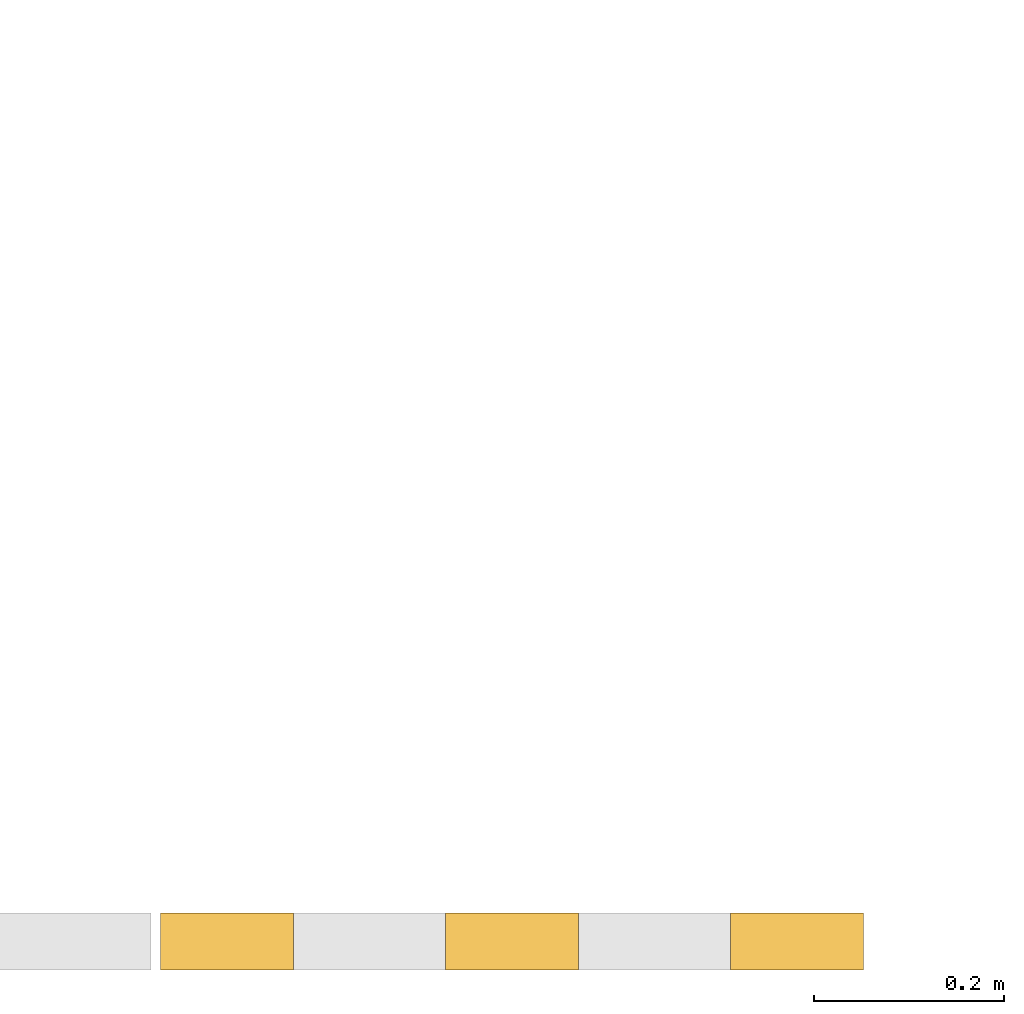
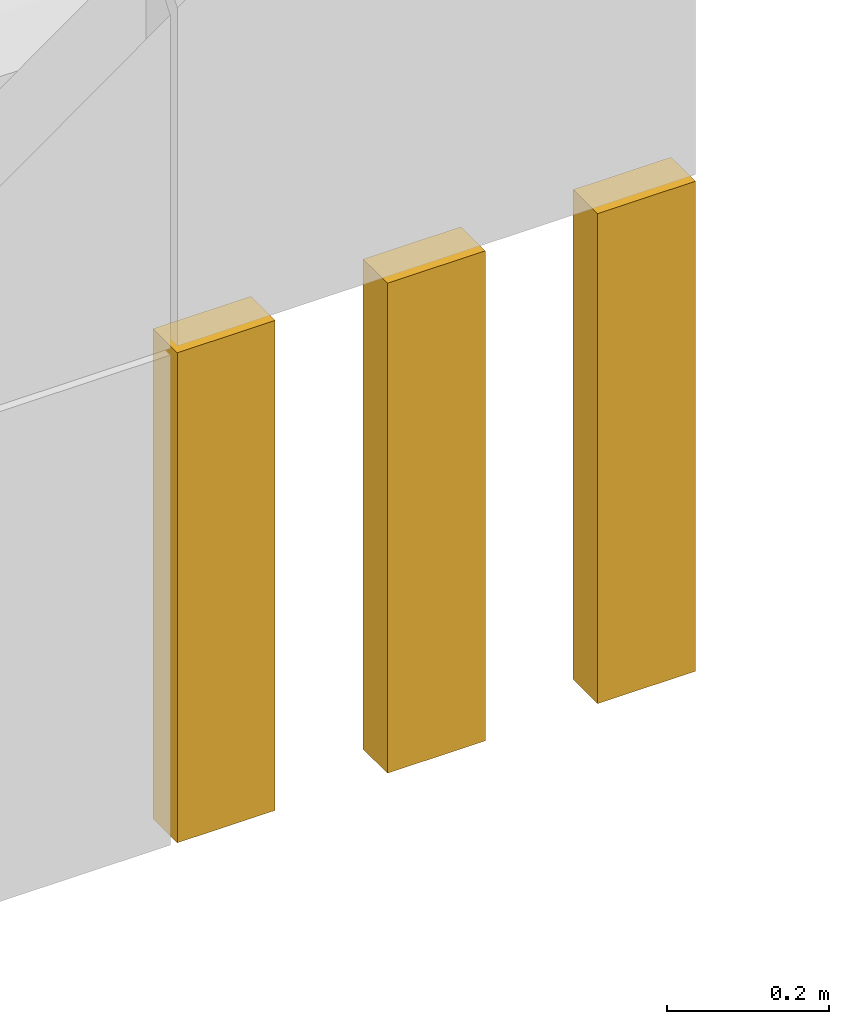
# One storey, part 75 of 98: 1 covering.
"""IFC4 building model written with IfcOpenShell, lengths in metres."""

from ifc_helpers import new_model, si_unit, direction, frame, origin, origin_2d, place, context, subcontext, project, spatial, rectangle, extrude, material, layer, layer_set, type_object, element, save


model = new_model("IFC4")

# Units and contexts
model_context = context("Model", 3, precision=1e-05, world=origin(), true_north=direction((0.0, 1.0)))
body_context = subcontext(model_context, "Body", "Model", "MODEL_VIEW")
ifc_project = project(units=[si_unit("LENGTHUNIT", "METRE"), si_unit("AREAUNIT", "SQUARE_METRE"), si_unit("VOLUMEUNIT", "CUBIC_METRE"), si_unit("PLANEANGLEUNIT", "RADIAN"), si_unit("MASSUNIT", "GRAM", prefix="KILO")], contexts=[model_context])

# Site, building, storey
site_placement = place(None, origin())
site = spatial("IfcSite", under=ifc_project, at=site_placement, CompositionType="ELEMENT")
building_placement = place(site_placement, origin())
building = spatial("IfcBuilding", under=site, at=building_placement, Name="Sun Court Science Centre", CompositionType="ELEMENT")
storey_placement = place(building_placement, frame((0.0, 0.0, 15.75)))
storey = spatial("IfcBuildingStorey", under=building, at=storey_placement, Name="L03", CompositionType="ELEMENT", Elevation=15.75)

# Covering
ifc_material = material(Name="Red sandstone", Category="masonry")
ifc_layer = layer(ifc_material, 0.06005859375)
ifc_layer_set = layer_set([ifc_layer], Name="Red sandstone")
covering_type = type_object("IfcCoveringType", Name="Red sandstone jali relief 750", PredefinedType="CLADDING", material=ifc_layer_set)
covering_placement = place(storey_placement, frame((0.0, 0.0, -15.75)))
element("IfcCovering", 1, at=covering_placement, inside=storey, type_object=covering_type, Name="Red sandstone jali relief portal-PORTAL-R L03", PredefinedType="CLADDING", context=body_context, shape_type="SweptSolid", body=[
    extrude(rectangle(XDim=0.139892578125, YDim=0.06005859375, at=origin_2d()), frame((47.625, 3.969970703125, 15.7548828125), z_axis=(0.0, 0.0, 1.0), x_axis=(-1.0, 0.0, 0.0)), (0.0, 0.0, 1.0), 0.739990234375),
    extrude(rectangle(XDim=0.139892578125, YDim=0.06005859375, at=origin_2d()), frame((47.324951171875, 3.969970703125, 15.7548828125), z_axis=(0.0, 0.0, 1.0), x_axis=(-1.0, 0.0, 0.0)), (0.0, 0.0, 1.0), 0.739990234375),
    extrude(rectangle(XDim=0.139892578125, YDim=0.06005859375, at=origin_2d()), frame((47.02490234375, 3.969970703125, 15.7548828125), z_axis=(0.0, 0.0, 1.0), x_axis=(-1.0, 0.0, 0.0)), (0.0, 0.0, 1.0), 0.739990234375),
])

save(model, "model.ifc")
